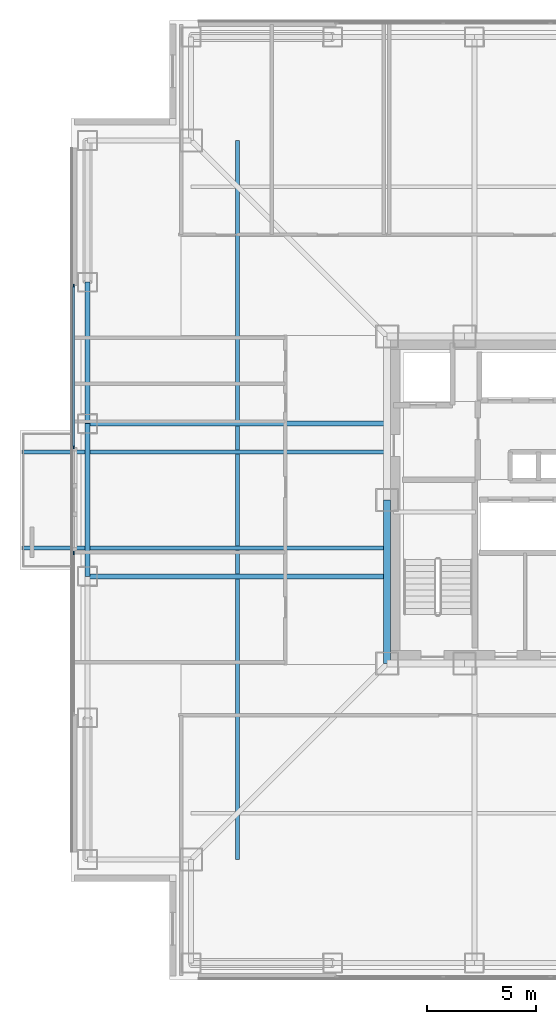
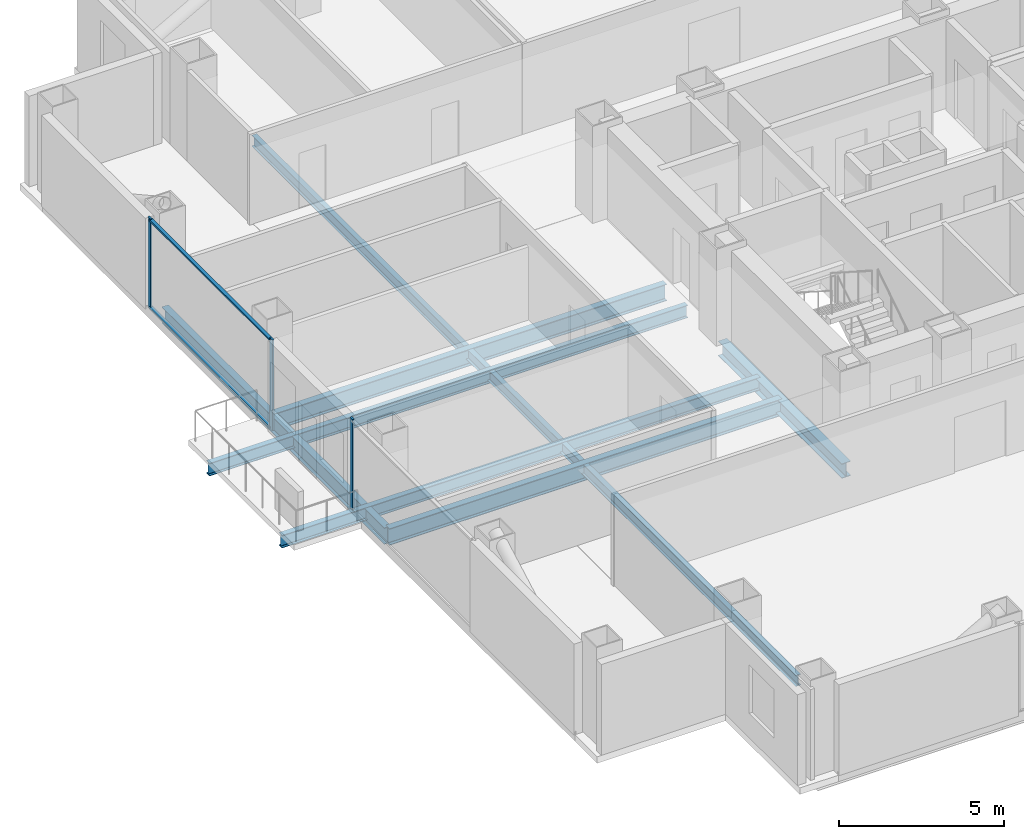
# One storey, part 4 of 16: 8 beams, 5 members, 2 elements without a shape of their own.
"""IFC4 building model written with IfcOpenShell, lengths in metres."""

from ifc_helpers import new_model, si_unit, direction, frame, origin, origin_2d, place, context, subcontext, project, spatial, rectangle, i_section, extrude, material, layer, layer_set, material_profile, profile_set, type_object, element, aggregate, save


model = new_model("IFC4")

# Units and contexts
model_context = context("Model", 3, precision=1e-05, world=origin(), true_north=direction((0.0, 1.0)))
body_context = subcontext(model_context, "Body", "Model", "MODEL_VIEW")
ifc_project = project(units=[si_unit("LENGTHUNIT", "METRE"), si_unit("AREAUNIT", "SQUARE_METRE"), si_unit("VOLUMEUNIT", "CUBIC_METRE"), si_unit("PLANEANGLEUNIT", "RADIAN"), si_unit("MASSUNIT", "GRAM", prefix="KILO")], contexts=[model_context])

# Site, building, storey
site_placement = place(None, origin())
site = spatial("IfcSite", under=ifc_project, at=site_placement, CompositionType="ELEMENT")
building_placement = place(site_placement, origin())
building = spatial("IfcBuilding", under=site, at=building_placement, Name="Trevonay Congress Spire", CompositionType="ELEMENT")
storey_placement = place(building_placement, frame((0.0, 0.0, 144.39990234375)))
storey = spatial("IfcBuildingStorey", under=building, at=storey_placement, Name="L37", CompositionType="ELEMENT", Elevation=144.39990234375)

# Beams
ifc_material_1 = material(Name="Steel ASTM A572 Grade 50", Category="steel")
ifc_material_profile_1 = material_profile(ifc_material_1, i_section(OverallWidth=0.194091796875, OverallDepth=0.468994140625, WebThickness=0.011474609375, FlangeThickness=0.01953125, FilletRadius=0.013916015625, at=origin_2d()), Name="W460x106")
ifc_profile_set_1 = profile_set([ifc_material_profile_1], Name="Steel ASTM A572 Grade 50")
beam_type_1 = type_object("IfcBeamType", Name="BM-BAL-LOOKOUT", PredefinedType="BEAM", material=ifc_profile_set_1)
for number, where, z_axis, x_axis, name in (
    (1, (-7.5, -2.199951171875, -0.474365234375), (-1.0, 0.0, 0.0), (0.0, -1.0, 0.0), "L37 structural beam LKT-L37-W1"),
    (2, (-7.5, 2.199951171875, -0.474365234375), (-1.0, 0.0, 0.0), (0.0, -1.0, 0.0), "L37 structural beam LKT-L37-W2"),
):
    element("IfcBeam", number, at=place(storey_placement, frame(where, z_axis=z_axis, x_axis=x_axis)), inside=storey, type_object=beam_type_1, Name=name, PredefinedType="BEAM", context=body_context, shape_type="SweptSolid", body=[
        extrude(i_section(OverallWidth=0.194091796875, OverallDepth=0.468994140625, WebThickness=0.011474609375, FlangeThickness=0.01953125, FilletRadius=0.013916015625, at=origin_2d()), origin(), (0.0, 0.0, 1.0), 16.75),
    ])
ifc_material_profile_2 = material_profile(ifc_material_1, i_section(OverallWidth=0.31201171875, OverallDepth=0.54296875, WebThickness=0.0126953125, FlangeThickness=0.020263671875, FilletRadius=0.014892578125, at=origin_2d()), Name="W530x150")
ifc_profile_set_2 = profile_set([ifc_material_profile_2], Name="Steel ASTM A572 Grade 50")
beam_type_2 = type_object("IfcBeamType", Name="BM-GIRD-W530X150", PredefinedType="BEAM", material=ifc_profile_set_2)
beam_1_placement = place(storey_placement, frame((-7.5, -7.5, -0.511474609375), z_axis=(0.0, 1.0, 0.0), x_axis=(-1.0, 0.0, 0.0)))
element("IfcBeam", 3, at=beam_1_placement, inside=storey, type_object=beam_type_2, Name="L37 structural beam BM-L37-CR-W1", PredefinedType="BEAM", context=body_context, shape_type="SweptSolid", body=[
    extrude(i_section(OverallWidth=0.31201171875, OverallDepth=0.54296875, WebThickness=0.0126953125, FlangeThickness=0.020263671875, FilletRadius=0.014892578125, at=origin_2d()), origin(), (0.0, 0.0, 1.0), 7.5),
])
ifc_material_profile_3 = material_profile(ifc_material_1, i_section(OverallWidth=0.22998046875, OverallDepth=0.616943359375, WebThickness=0.01318359375, FlangeThickness=0.022216796875, FilletRadius=0.01611328125, at=origin_2d()), Name="W610x140")
ifc_profile_set_3 = profile_set([ifc_material_profile_3], Name="Steel ASTM A572 Grade 50")
beam_type_3 = type_object("IfcBeamType", Name="BM-GIRD-W610X140", PredefinedType="BEAM", material=ifc_profile_set_3)
for number, where, z_axis, x_axis, name in (
    (4, (-7.5, -3.5, -0.54833984375), (-1.0, 0.0, 0.0), (0.0, -1.0, 0.0), "L37 structural beam BM-L37-GW-M"),
    (5, (-7.5, 3.5, -0.54833984375), (-1.0, 0.0, 0.0), (0.0, -1.0, 0.0), "L37 structural beam BM-L37-GW-P"),
):
    element("IfcBeam", number, at=place(storey_placement, frame(where, z_axis=z_axis, x_axis=x_axis)), inside=storey, type_object=beam_type_3, Name=name, PredefinedType="BEAM", context=body_context, shape_type="SweptSolid", body=[
        extrude(i_section(OverallWidth=0.22998046875, OverallDepth=0.616943359375, WebThickness=0.01318359375, FlangeThickness=0.022216796875, FilletRadius=0.01611328125, at=origin_2d()), origin(), (0.0, 0.0, 1.0), 13.75),
    ])
ifc_material_profile_4 = material_profile(ifc_material_1, i_section(OverallWidth=0.22802734375, OverallDepth=0.60791015625, WebThickness=0.01123046875, FlangeThickness=0.017333984375, FilletRadius=0.01611328125, at=origin_2d()), Name="W610x113")
ifc_profile_set_4 = profile_set([ifc_material_profile_4], Name="Steel ASTM A572 Grade 50")
beam_type_4 = type_object("IfcBeamType", Name="BM-RING-W610X113", PredefinedType="BEAM", material=ifc_profile_set_4)
beam_2_placement = place(storey_placement, frame((-21.25, -3.5, -0.5439453125), z_axis=(0.0, 1.0, 0.0), x_axis=(-1.0, 0.0, 0.0)))
element("IfcBeam", 6, at=beam_2_placement, inside=storey, type_object=beam_type_4, Name="L37 structural beam BM-L37-PW3", PredefinedType="BEAM", context=body_context, shape_type="SweptSolid", body=[
    extrude(i_section(OverallWidth=0.22802734375, OverallDepth=0.60791015625, WebThickness=0.01123046875, FlangeThickness=0.017333984375, FilletRadius=0.01611328125, at=origin_2d()), origin(), (0.0, 0.0, 1.0), 7.0),
])
beam_3_placement = place(storey_placement, frame((-21.25, 3.5, -0.5439453125), z_axis=(0.0, 1.0, 0.0), x_axis=(-1.0, 0.0, 0.0)))
element("IfcBeam", 7, at=beam_3_placement, inside=storey, type_object=beam_type_4, Name="L37 structural beam BM-L37-PW4", PredefinedType="BEAM", context=body_context, shape_type="SweptSolid", body=[
    extrude(i_section(OverallWidth=0.22802734375, OverallDepth=0.60791015625, WebThickness=0.01123046875, FlangeThickness=0.017333984375, FilletRadius=0.01611328125, at=origin_2d()), origin(), (0.0, 0.0, 1.0), 6.5),
])

# Curtain wall, member
ifc_material_2 = material(Name="Pale Anodised Aluminium EN AW-6063-T6", Category="aluminium")
ifc_layer = layer(ifc_material_2, 0.175048828125, Name="Pale Anodised Aluminium EN AW-6063-T6")
ifc_layer_set = layer_set([ifc_layer], Name="Pale Anodised Aluminium EN AW-6063-T6")
curtain_wall_type = type_object("IfcCurtainWallType", Name="CW-SYS03-CONGRESS-PALE-METAL", PredefinedType="NOTDEFINED", material=ifc_layer_set)
curtain_wall_1_placement = place(storey_placement, origin())
curtain_wall_1 = element("IfcCurtainWall", 8, at=curtain_wall_1_placement, inside=storey, type_object=curtain_wall_type, Name="L37 WA unitised curtain wall", PredefinedType="NOTDEFINED")
ifc_material_profile_5 = material_profile(ifc_material_2, rectangle(XDim=0.06005859375, YDim=0.159912109375, at=origin_2d()), Name="CW-MULLION-160-ALUMINIUM")
ifc_profile_set_5 = profile_set([ifc_material_profile_5], Name="Pale Anodised Aluminium EN AW-6063-T6")
member_type_1 = type_object("IfcMemberType", Name="CW-MULLION-160-ALUMINIUM", PredefinedType="MULLION", material=ifc_profile_set_5)
member_1_placement = place(storey_placement, frame((-21.8798828125, -2.429931640625, 0.0), z_axis=(0.0, 0.0, 1.0), x_axis=(-1.0, 0.0, 0.0)))
member_1 = element("IfcMember", 9, at=member_1_placement, type_object=member_type_1, Name="CW03 mullion 2", PredefinedType="MULLION", context=body_context, shape_type="SweptSolid", body=[
    extrude(rectangle(XDim=0.06005859375, YDim=0.159912109375, at=origin_2d()), origin(), (0.0, 0.0, 1.0), 3.360107421875),
])
aggregate(curtain_wall_1, [member_1])

# Curtain wall, members
curtain_wall_2_placement = place(storey_placement, origin())
curtain_wall_2 = element("IfcCurtainWall", 10, at=curtain_wall_2_placement, inside=storey, type_object=curtain_wall_type, Name="L37 WB unitised curtain wall", PredefinedType="NOTDEFINED")
member_2_placement = place(storey_placement, frame((-21.8798828125, 2.429931640625, 0.0), z_axis=(0.0, 0.0, 1.0), x_axis=(-1.0, 0.0, 0.0)))
member_2 = element("IfcMember", 11, at=member_2_placement, type_object=member_type_1, Name="CW03 mullion 1", PredefinedType="MULLION", context=body_context, shape_type="SweptSolid", body=[
    extrude(rectangle(XDim=0.06005859375, YDim=0.159912109375, at=origin_2d()), origin(), (0.0, 0.0, 1.0), 3.360107421875),
])
member_3_placement = place(storey_placement, frame((-21.8798828125, 9.820068359375, 0.0), z_axis=(0.0, 0.0, 1.0), x_axis=(-1.0, 0.0, 0.0)))
member_3 = element("IfcMember", 12, at=member_3_placement, type_object=member_type_1, Name="CW03 mullion 2", PredefinedType="MULLION", context=body_context, shape_type="SweptSolid", body=[
    extrude(rectangle(XDim=0.06005859375, YDim=0.159912109375, at=origin_2d()), origin(), (0.0, 0.0, 1.0), 3.360107421875),
])
ifc_material_profile_6 = material_profile(ifc_material_2, rectangle(XDim=0.1201171875, YDim=0.06005859375, at=origin_2d()), Name="CW-TRANSOM-120-ALUMINIUM")
ifc_profile_set_6 = profile_set([ifc_material_profile_6], Name="Pale Anodised Aluminium EN AW-6063-T6")
member_type_2 = type_object("IfcMemberType", Name="CW-TRANSOM-120-ALUMINIUM", PredefinedType="USERDEFINED", material=ifc_profile_set_6)
member_4_placement = place(storey_placement, frame((-21.8798828125, 2.4599609375, 0.06005859375), z_axis=(0.0, 1.0, 0.0), x_axis=(-1.0, 0.0, 0.0)))
member_4 = element("IfcMember", 13, at=member_4_placement, type_object=member_type_2, Name="CW03 transom 1.1", ObjectType="TRANSOM", PredefinedType="USERDEFINED", context=body_context, shape_type="SweptSolid", body=[
    extrude(rectangle(XDim=0.1201171875, YDim=0.06005859375, at=origin_2d()), origin(), (0.0, 0.0, 1.0), 7.330078125),
])
member_5_placement = place(storey_placement, frame((-21.8798828125, 2.4599609375, 3.300048828125), z_axis=(0.0, 1.0, 0.0), x_axis=(-1.0, 0.0, 0.0)))
member_5 = element("IfcMember", 14, at=member_5_placement, type_object=member_type_2, Name="CW03 transom 1.2", ObjectType="TRANSOM", PredefinedType="USERDEFINED", context=body_context, shape_type="SweptSolid", body=[
    extrude(rectangle(XDim=0.1201171875, YDim=0.06005859375, at=origin_2d()), origin(), (0.0, 0.0, 1.0), 7.330078125),
])
aggregate(curtain_wall_2, [member_2, member_3, member_4, member_5])

# Beam
ifc_material_profile_7 = material_profile(ifc_material_1, i_section(OverallWidth=0.177978515625, OverallDepth=0.406982421875, WebThickness=0.0078125, FlangeThickness=0.0126953125, FilletRadius=0.012939453125, at=origin_2d()), Name="W410x60")
ifc_profile_set_7 = profile_set([ifc_material_profile_7], Name="Steel ASTM A572 Grade 50")
beam_type_5 = type_object("IfcBeamType", Name="JS-COMP-W410X60", PredefinedType="JOIST", material=ifc_profile_set_7)
beam_4_placement = place(storey_placement, frame((-14.375, -16.5, -0.443359375), z_axis=(0.0, 1.0, 0.0), x_axis=(-1.0, 0.0, 0.0)))
element("IfcBeam", 15, at=beam_4_placement, inside=storey, type_object=beam_type_5, Name="L37 structural beam JS-L37-RING-W", PredefinedType="JOIST", context=body_context, shape_type="SweptSolid", body=[
    extrude(i_section(OverallWidth=0.177978515625, OverallDepth=0.406982421875, WebThickness=0.0078125, FlangeThickness=0.0126953125, FilletRadius=0.012939453125, at=origin_2d()), origin(), (0.0, 0.0, 1.0), 33.0),
])

save(model, "model.ifc")
